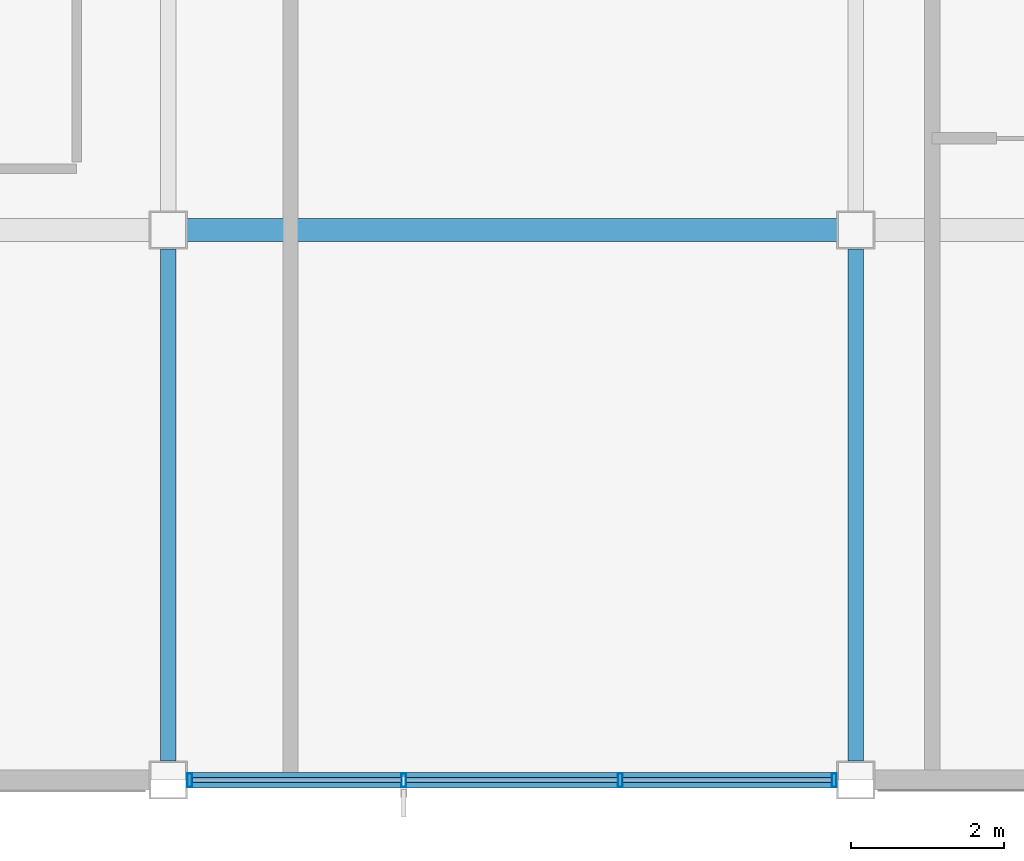
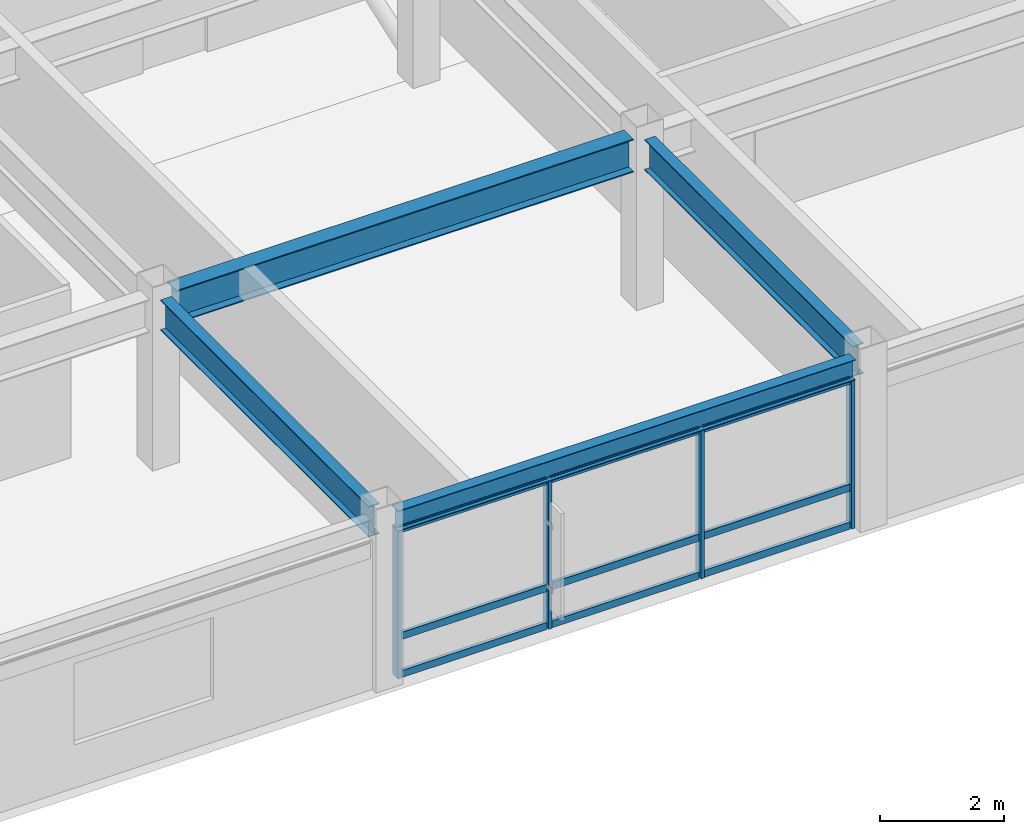
# One storey, part 2 of 7: 13 members, 4 beams, 1 element without a shape of its own.
"""IFC4 building model written with IfcOpenShell, lengths in metres."""

from ifc_helpers import new_model, si_unit, direction, frame, origin, origin_2d, place, context, subcontext, project, spatial, hollow_rectangle, i_section, extrude, material, material_profile, profile_set, type_object, element, aggregate, save


model = new_model("IFC4")

# Units and contexts
model_context = context("Model", 3, precision=1e-05, world=origin(), true_north=direction((0.0, 1.0)))
body_context = subcontext(model_context, "Body", "Model", "MODEL_VIEW")
ifc_project = project(units=[si_unit("LENGTHUNIT", "METRE"), si_unit("AREAUNIT", "SQUARE_METRE"), si_unit("VOLUMEUNIT", "CUBIC_METRE"), si_unit("PLANEANGLEUNIT", "RADIAN"), si_unit("MASSUNIT", "GRAM", prefix="KILO")], contexts=[model_context])

# Site, building, storey
site_placement = place(None, origin())
site = spatial("IfcSite", under=ifc_project, at=site_placement, CompositionType="ELEMENT")
building_placement = place(site_placement, origin())
building = spatial("IfcBuilding", under=site, at=building_placement, Name="Kazanami Central Library", CompositionType="ELEMENT")
storey_placement = place(building_placement, frame((0.0, 0.0, 27.800048828125)))
storey = spatial("IfcBuildingStorey", under=building, at=storey_placement, Name="L08", CompositionType="ELEMENT", Elevation=27.800048828125)

# Beams
ifc_material_1 = material(Name="Steel SN490B (325 MPa)", Category="steel")
ifc_material_profile_1 = material_profile(ifc_material_1, i_section(OverallWidth=0.300048828125, OverallDepth=0.64990234375, WebThickness=0.012939453125, FlangeThickness=0.02099609375, at=origin_2d()), Name="H-650x300x13x21")
ifc_profile_set_1 = profile_set([ifc_material_profile_1], Name="Steel SN490B (325 MPa)")
beam_type_1 = type_object("IfcBeamType", Name="BM-G-TR", PredefinedType="BEAM", material=ifc_profile_set_1)
beam_1_placement = place(storey_placement, frame((144.248046875, 64.800048828125, 2.989990234375), z_axis=(1.0, 0.0, 0.0), x_axis=(0.0, 1.0, 0.0)))
element("IfcBeam", 1, at=beam_1_placement, inside=storey, type_object=beam_type_1, Name="Girder G-TR L08 K/17-18", PredefinedType="BEAM", context=body_context, shape_type="SweptSolid", body=[
    extrude(i_section(OverallWidth=0.300048828125, OverallDepth=0.64990234375, WebThickness=0.012939453125, FlangeThickness=0.02099609375, at=origin_2d()), origin(), (0.0, 0.0, 1.0), 8.50390625),
])
ifc_material_profile_2 = material_profile(ifc_material_1, i_section(OverallWidth=0.199951171875, OverallDepth=0.60009765625, WebThickness=0.010986328125, FlangeThickness=0.01708984375, at=origin_2d()), Name="H-600x200x11x17")
ifc_profile_set_2 = profile_set([ifc_material_profile_2], Name="Steel SN490B (325 MPa)")
beam_type_2 = type_object("IfcBeamType", Name="BM-G-Y1", PredefinedType="BEAM", material=ifc_profile_set_2)
for number, where, z_axis, x_axis, name in (
    (2, (144.0, 57.847900390625, 3.014892578125), (0.0, 1.0, 0.0), (-1.0, 0.0, 0.0), "Girder G-Y1 L08 17/J-K"),
    (3, (153.0, 57.847900390625, 3.014892578125), (0.0, 1.0, 0.0), (-1.0, 0.0, 0.0), "Girder G-Y1 L08 18/J-K"),
):
    element("IfcBeam", number, at=place(storey_placement, frame(where, z_axis=z_axis, x_axis=x_axis)), inside=storey, type_object=beam_type_2, Name=name, PredefinedType="BEAM", context=body_context, shape_type="SweptSolid", body=[
        extrude(i_section(OverallWidth=0.199951171875, OverallDepth=0.60009765625, WebThickness=0.010986328125, FlangeThickness=0.01708984375, at=origin_2d()), origin(), (0.0, 0.0, 1.0), 6.7041015625),
    ])
ifc_material_profile_3 = material_profile(ifc_material_1, i_section(OverallWidth=0.199951171875, OverallDepth=0.39990234375, WebThickness=0.008056640625, FlangeThickness=0.012939453125, at=origin_2d()), Name="H-400x200x8x13")
ifc_profile_set_3 = profile_set([ifc_material_profile_3], Name="Steel SN490B (325 MPa)")
beam_type_3 = type_object("IfcBeamType", Name="BM-SP-3", PredefinedType="SPANDREL", material=ifc_profile_set_3)
beam_2_placement = place(storey_placement, frame((144.248046875, 57.60009765625, 3.114990234375), z_axis=(1.0, 0.0, 0.0), x_axis=(0.0, 1.0, 0.0)))
element("IfcBeam", 4, at=beam_2_placement, inside=storey, type_object=beam_type_3, Name="Girder SP-3 L08 J/17-18", PredefinedType="SPANDREL", context=body_context, shape_type="SweptSolid", body=[
    extrude(i_section(OverallWidth=0.199951171875, OverallDepth=0.39990234375, WebThickness=0.008056640625, FlangeThickness=0.012939453125, at=origin_2d()), origin(), (0.0, 0.0, 1.0), 8.50390625),
])

# Curtain wall, members
ifc_material_2 = material(Name="Acid-Etched Low-E Laminated Glass", Category="glass")
curtain_wall_type = type_object("IfcCurtainWallType", Name="CW-8500x2915-M275", PredefinedType="USERDEFINED", material=ifc_material_2)
curtain_wall_placement = place(storey_placement, origin())
curtain_wall = element("IfcCurtainWall", 5, at=curtain_wall_placement, inside=storey, type_object=curtain_wall_type, Name="Unitised Curtain Wall CW-61 L08 S-J-16", ObjectType="UNITISED CURTAIN WALL", PredefinedType="USERDEFINED")
ifc_material_3 = material(Name="Anodised Aluminium A6063-T5", Category="aluminium")
ifc_material_profile_4 = material_profile(ifc_material_3, hollow_rectangle(XDim=0.06494140625, YDim=0.179931640625, WallThickness=0.00390625, at=origin_2d()), Name="ALU-MULL-65x180x4")
ifc_profile_set_4 = profile_set([ifc_material_profile_4], Name="Anodised Aluminium A6063-T5")
member_type_1 = type_object("IfcMemberType", Name="MEM-CW-M2", PredefinedType="MULLION", material=ifc_profile_set_4)
member_1_placement = place(storey_placement, frame((144.282470703125, 57.60009765625, 0.0), z_axis=(0.0, 0.0, 1.0), x_axis=(1.0, 0.0, 0.0)))
member_1 = element("IfcMember", 6, at=member_1_placement, type_object=member_type_1, Name="CW-61 mullion 1", PredefinedType="MULLION", context=body_context, shape_type="SweptSolid", body=[
    extrude(hollow_rectangle(XDim=0.06494140625, YDim=0.179931640625, WallThickness=0.00390625, at=origin_2d()), origin(), (0.0, 0.0, 1.0), 2.9150390625),
])
member_2_placement = place(storey_placement, frame((147.083251953125, 57.60009765625, 0.0), z_axis=(0.0, 0.0, 1.0), x_axis=(1.0, 0.0, 0.0)))
member_2 = element("IfcMember", 7, at=member_2_placement, type_object=member_type_1, Name="CW-61 mullion 2", PredefinedType="MULLION", context=body_context, shape_type="SweptSolid", body=[
    extrude(hollow_rectangle(XDim=0.06494140625, YDim=0.179931640625, WallThickness=0.00390625, at=origin_2d()), origin(), (0.0, 0.0, 1.0), 2.9150390625),
])
member_3_placement = place(storey_placement, frame((149.916748046875, 57.60009765625, 0.0), z_axis=(0.0, 0.0, 1.0), x_axis=(1.0, 0.0, 0.0)))
member_3 = element("IfcMember", 8, at=member_3_placement, type_object=member_type_1, Name="CW-61 mullion 3", PredefinedType="MULLION", context=body_context, shape_type="SweptSolid", body=[
    extrude(hollow_rectangle(XDim=0.06494140625, YDim=0.179931640625, WallThickness=0.00390625, at=origin_2d()), origin(), (0.0, 0.0, 1.0), 2.9150390625),
])
member_4_placement = place(storey_placement, frame((152.717529296875, 57.60009765625, 0.0), z_axis=(0.0, 0.0, 1.0), x_axis=(1.0, 0.0, 0.0)))
member_4 = element("IfcMember", 9, at=member_4_placement, type_object=member_type_1, Name="CW-61 mullion 4", PredefinedType="MULLION", context=body_context, shape_type="SweptSolid", body=[
    extrude(hollow_rectangle(XDim=0.06494140625, YDim=0.179931640625, WallThickness=0.00390625, at=origin_2d()), origin(), (0.0, 0.0, 1.0), 2.9150390625),
])
ifc_material_profile_5 = material_profile(ifc_material_3, hollow_rectangle(XDim=0.06494140625, YDim=0.139892578125, WallThickness=0.00390625, at=origin_2d()), Name="ALU-TRAN-65x140x4")
ifc_profile_set_5 = profile_set([ifc_material_profile_5], Name="Anodised Aluminium A6063-T5")
member_type_2 = type_object("IfcMemberType", Name="MEM-CW-T2", PredefinedType="USERDEFINED", material=ifc_profile_set_5)
member_5_placement = place(storey_placement, frame((144.31494140625, 57.60009765625, 0.032470703125), z_axis=(1.0, 0.0, 0.0), x_axis=(0.0, 1.0, 0.0)))
member_5 = element("IfcMember", 10, at=member_5_placement, type_object=member_type_2, Name="CW-61 transom 1.1", ObjectType="TRANSOM", PredefinedType="USERDEFINED", context=body_context, shape_type="SweptSolid", body=[
    extrude(hollow_rectangle(XDim=0.06494140625, YDim=0.139892578125, WallThickness=0.00390625, at=origin_2d()), origin(), (0.0, 0.0, 1.0), 2.73583984375),
])
member_6_placement = place(storey_placement, frame((144.31494140625, 57.60009765625, 0.780029296875), z_axis=(1.0, 0.0, 0.0), x_axis=(0.0, 1.0, 0.0)))
member_6 = element("IfcMember", 11, at=member_6_placement, type_object=member_type_2, Name="CW-61 transom 1.2", ObjectType="TRANSOM", PredefinedType="USERDEFINED", context=body_context, shape_type="SweptSolid", body=[
    extrude(hollow_rectangle(XDim=0.06494140625, YDim=0.139892578125, WallThickness=0.00390625, at=origin_2d()), origin(), (0.0, 0.0, 1.0), 2.73583984375),
])
member_7_placement = place(storey_placement, frame((144.31494140625, 57.60009765625, 2.882568359375), z_axis=(1.0, 0.0, 0.0), x_axis=(0.0, 1.0, 0.0)))
member_7 = element("IfcMember", 12, at=member_7_placement, type_object=member_type_2, Name="CW-61 transom 1.3", ObjectType="TRANSOM", PredefinedType="USERDEFINED", context=body_context, shape_type="SweptSolid", body=[
    extrude(hollow_rectangle(XDim=0.06494140625, YDim=0.139892578125, WallThickness=0.00390625, at=origin_2d()), origin(), (0.0, 0.0, 1.0), 2.73583984375),
])
member_8_placement = place(storey_placement, frame((147.11572265625, 57.60009765625, 0.032470703125), z_axis=(1.0, 0.0, 0.0), x_axis=(0.0, 1.0, 0.0)))
member_8 = element("IfcMember", 13, at=member_8_placement, type_object=member_type_2, Name="CW-61 transom 2.1", ObjectType="TRANSOM", PredefinedType="USERDEFINED", context=body_context, shape_type="SweptSolid", body=[
    extrude(hollow_rectangle(XDim=0.06494140625, YDim=0.139892578125, WallThickness=0.00390625, at=origin_2d()), origin(), (0.0, 0.0, 1.0), 2.7685546875),
])
member_9_placement = place(storey_placement, frame((147.11572265625, 57.60009765625, 0.780029296875), z_axis=(1.0, 0.0, 0.0), x_axis=(0.0, 1.0, 0.0)))
member_9 = element("IfcMember", 14, at=member_9_placement, type_object=member_type_2, Name="CW-61 transom 2.2", ObjectType="TRANSOM", PredefinedType="USERDEFINED", context=body_context, shape_type="SweptSolid", body=[
    extrude(hollow_rectangle(XDim=0.06494140625, YDim=0.139892578125, WallThickness=0.00390625, at=origin_2d()), origin(), (0.0, 0.0, 1.0), 2.7685546875),
])
member_10_placement = place(storey_placement, frame((147.11572265625, 57.60009765625, 2.882568359375), z_axis=(1.0, 0.0, 0.0), x_axis=(0.0, 1.0, 0.0)))
member_10 = element("IfcMember", 15, at=member_10_placement, type_object=member_type_2, Name="CW-61 transom 2.3", ObjectType="TRANSOM", PredefinedType="USERDEFINED", context=body_context, shape_type="SweptSolid", body=[
    extrude(hollow_rectangle(XDim=0.06494140625, YDim=0.139892578125, WallThickness=0.00390625, at=origin_2d()), origin(), (0.0, 0.0, 1.0), 2.7685546875),
])
member_11_placement = place(storey_placement, frame((149.94921875, 57.60009765625, 0.032470703125), z_axis=(1.0, 0.0, 0.0), x_axis=(0.0, 1.0, 0.0)))
member_11 = element("IfcMember", 16, at=member_11_placement, type_object=member_type_2, Name="CW-61 transom 3.1", ObjectType="TRANSOM", PredefinedType="USERDEFINED", context=body_context, shape_type="SweptSolid", body=[
    extrude(hollow_rectangle(XDim=0.06494140625, YDim=0.139892578125, WallThickness=0.00390625, at=origin_2d()), origin(), (0.0, 0.0, 1.0), 2.73583984375),
])
member_12_placement = place(storey_placement, frame((149.94921875, 57.60009765625, 0.780029296875), z_axis=(1.0, 0.0, 0.0), x_axis=(0.0, 1.0, 0.0)))
member_12 = element("IfcMember", 17, at=member_12_placement, type_object=member_type_2, Name="CW-61 transom 3.2", ObjectType="TRANSOM", PredefinedType="USERDEFINED", context=body_context, shape_type="SweptSolid", body=[
    extrude(hollow_rectangle(XDim=0.06494140625, YDim=0.139892578125, WallThickness=0.00390625, at=origin_2d()), origin(), (0.0, 0.0, 1.0), 2.73583984375),
])
member_13_placement = place(storey_placement, frame((149.94921875, 57.60009765625, 2.882568359375), z_axis=(1.0, 0.0, 0.0), x_axis=(0.0, 1.0, 0.0)))
member_13 = element("IfcMember", 18, at=member_13_placement, type_object=member_type_2, Name="CW-61 transom 3.3", ObjectType="TRANSOM", PredefinedType="USERDEFINED", context=body_context, shape_type="SweptSolid", body=[
    extrude(hollow_rectangle(XDim=0.06494140625, YDim=0.139892578125, WallThickness=0.00390625, at=origin_2d()), origin(), (0.0, 0.0, 1.0), 2.73583984375),
])
aggregate(curtain_wall, [member_1, member_2, member_3, member_4, member_5, member_6, member_7, member_8, member_9, member_10, member_11, member_12, member_13])

save(model, "model.ifc")
